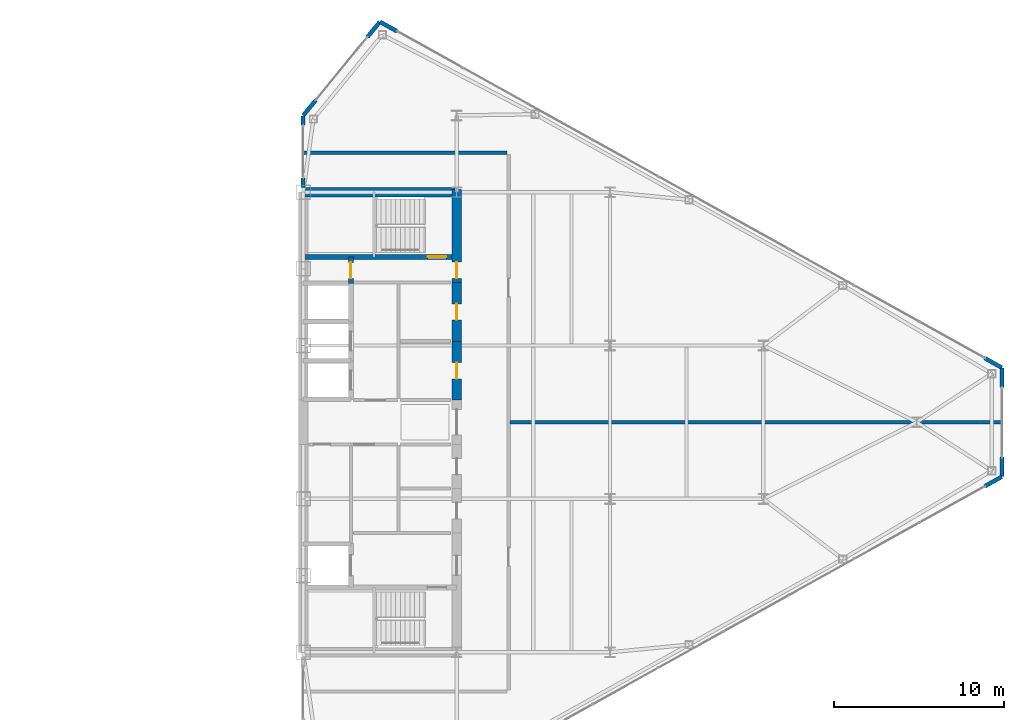
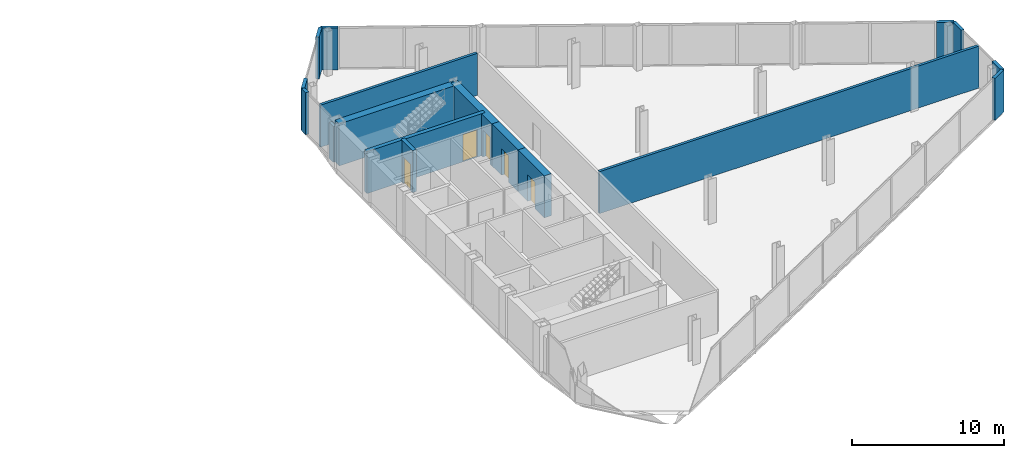
# One storey, part 23 of 26: 17 walls, 5 doors, 5 openings.
"""IFC4 building model written with IfcOpenShell, lengths in metres."""

from ifc_helpers import new_model, si_unit, direction, frame, frame_2d, origin, place, context, subcontext, project, spatial, rectangle, extrude, source, transform, mapped, material, layer, layer_set, type_object, type_shapes, element, fill, save


model = new_model("IFC4")

# Units and contexts
model_context = context("Model", 3, precision=1e-05, world=origin(), true_north=direction((0.0, 1.0)))
body_context = subcontext(model_context, "Body", "Model", "MODEL_VIEW")
ifc_project = project(units=[si_unit("LENGTHUNIT", "METRE"), si_unit("AREAUNIT", "SQUARE_METRE"), si_unit("VOLUMEUNIT", "CUBIC_METRE"), si_unit("PLANEANGLEUNIT", "RADIAN"), si_unit("MASSUNIT", "GRAM", prefix="KILO")], contexts=[model_context])

# Site, building, storey
site_placement = place(None, origin())
site = spatial("IfcSite", under=ifc_project, at=site_placement, CompositionType="ELEMENT")
building_placement = place(site_placement, origin())
building = spatial("IfcBuilding", under=site, at=building_placement, Name="Seokmaru Belvedere", CompositionType="ELEMENT")
storey_placement = place(building_placement, frame((0.0, 0.0, 177.89990234375)))
storey = spatial("IfcBuildingStorey", under=building, at=storey_placement, Name="L47", CompositionType="ELEMENT", Elevation=177.89990234375)

# Walls
ifc_material_1 = material(Name="Fire-Rated Gypsum Shaftwall")
ifc_layer_1 = layer(ifc_material_1, 0.199951171875)
ifc_layer_set_1 = layer_set([ifc_layer_1], Name="Fire-Rated Gypsum Shaftwall")
wall_type_1 = type_object("IfcWallType", Name="Inter-Tenancy Fire Compartment Partition 200", PredefinedType="PARTITIONING", material=ifc_layer_set_1)
wall_1_placement = place(storey_placement, frame((39.6298828125, 0.0, 0.0), z_axis=(0.0, 0.0, 1.0), x_axis=(1.0, 0.0, 0.0)))
element("IfcWall", 1, at=wall_1_placement, inside=storey, type_object=wall_type_1, Name="L47 Interior Partition 010", PredefinedType="PARTITIONING", context=body_context, shape_type="SweptSolid", body=[
    extrude(rectangle(XDim=28.875, YDim=0.199951171875, at=frame_2d((14.4375, 0.0))), origin(), (0.0, 0.0, 1.0), 3.380126953125),
])
wall_2_placement = place(storey_placement, frame((27.5, 15.800048828125, 0.0), z_axis=(0.0, 0.0, 1.0), x_axis=(1.0, 0.0, 0.0)))
element("IfcWall", 2, at=wall_2_placement, inside=storey, type_object=wall_type_1, Name="L47 Interior Partition 015", PredefinedType="PARTITIONING", context=body_context, shape_type="SweptSolid", body=[
    extrude(rectangle(XDim=11.965087890625, YDim=0.199951171875, at=frame_2d((5.982421875, 0.0))), origin(), (0.0, 0.0, 1.0), 3.380126953125),
])

# Wall, opening, door
ifc_material_2 = material(Name="Concrete C50 (50 MPa)", Category="concrete")
ifc_layer_2 = layer(ifc_material_2, 0.300048828125)
ifc_layer_set_2 = layer_set([ifc_layer_2], Name="Concrete C50 (50 MPa)")
wall_type_2 = type_object("IfcWallType", Name="Internal Core Stair and Hoistway Wall 300", PredefinedType="SHEAR", material=ifc_layer_set_2)
wall_3_placement = place(storey_placement, frame((27.5, 9.699951171875, 0.0), z_axis=(0.0, 0.0, 1.0), x_axis=(1.0, 0.0, 0.0)))
wall_3 = element("IfcWall", 3, at=wall_3_placement, inside=storey, type_object=wall_type_2, Name="L47 East Stair ST-2 Enclosure Wall", PredefinedType="SHEAR", context=body_context, shape_type="SweptSolid", body=[
    extrude(rectangle(XDim=9.0, YDim=0.300048828125, at=frame_2d((4.5, 0.0))), origin(), (0.0, 0.0, 1.0), 3.380126953125),
])
opening_1_placement = place(wall_3_placement, frame((7.300048828125, 0.0, 0.0)))
opening_1 = element("IfcOpeningElement", 4, at=opening_1_placement, cuts=wall_3, Name="Opening D01", PredefinedType="OPENING", context=body_context, shape_type="SweptSolid", body=[
    extrude(rectangle(XDim=1.10009765625, YDim=2.199951171875, at=frame_2d((0.550048828125, 1.10009765625))), frame((0.0, 0.16015625, 0.0), z_axis=(0.0, -1.0, 0.0), x_axis=(1.0, 0.0, 0.0)), (0.0, 0.0, 1.0), 0.320068359375),
])
ifc_material_3 = material(Name="Fire-Rated Steel Leaf", Category="steel")
door_type_1 = type_object("IfcDoorType", Name="Special Escape Stair Smokeproof Fire Door 1100x2200", OperationType="NOTDEFINED", PredefinedType="DOOR", material=ifc_material_3)
shared_shape_1 = source(origin(), body_context, "Body", "SweptSolid", [
    extrude(rectangle(XDim=1.10009765625, YDim=2.199951171875, at=frame_2d((0.550048828125, 1.10009765625))), frame((0.0, 0.02490234375, 0.0), z_axis=(0.0, -1.0, 0.0), x_axis=(1.0, 0.0, 0.0)), (0.0, 0.0, 1.0), 0.050048828125),
])
type_shapes(door_type_1, [shared_shape_1])
door_1_placement = place(opening_1_placement, origin())
door_1 = element("IfcDoor", 5, at=door_1_placement, inside=storey, type_object=door_type_1, Name="L47 East Special Escape Stair ST-2 Door", OperationType="SINGLE_SWING_LEFT", OverallHeight=2.199951171875, OverallWidth=1.10009765625, PredefinedType="DOOR", context=body_context, shape_type="MappedRepresentation", body=[
    mapped(shared_shape_1, transform((0.0, 0.0, 0.0), scale=1.0)),
])
fill(opening_1, door_1)

wall_4_placement = place(storey_placement, frame((30.300048828125, 8.14990234375, 0.0), z_axis=(0.0, 0.0, 1.0), x_axis=(0.0, 1.0, 0.0)))
wall_4 = element("IfcWall", 6, at=wall_4_placement, inside=storey, type_object=wall_type_2, Name="L47 East Electrical Riser Front Wall", PredefinedType="SHEAR", context=body_context, shape_type="SweptSolid", body=[
    extrude(rectangle(XDim=1.530029296875, YDim=0.300048828125, at=frame_2d((0.76513671875, 0.0))), origin(), (0.0, 0.0, 1.0), 3.380126953125),
])
opening_2_placement = place(wall_4_placement, frame((0.284912109375, 0.0, 0.0)))
opening_2 = element("IfcOpeningElement", 7, at=opening_2_placement, cuts=wall_4, Name="Opening D04", PredefinedType="OPENING", context=body_context, shape_type="SweptSolid", body=[
    extrude(rectangle(XDim=0.949951171875, YDim=2.14990234375, at=frame_2d((0.47509765625, 1.074951171875))), frame((0.0, 0.16015625, 0.0), z_axis=(0.0, -1.0, 0.0), x_axis=(1.0, 0.0, 0.0)), (0.0, 0.0, 1.0), 0.320068359375),
])
door_type_2 = type_object("IfcDoorType", Name="Core Service Room Fire Door 950x2150", OperationType="NOTDEFINED", PredefinedType="DOOR", material=ifc_material_3)
shared_shape_2 = source(origin(), body_context, "Body", "SweptSolid", [
    extrude(rectangle(XDim=0.949951171875, YDim=2.14990234375, at=frame_2d((0.47509765625, 1.074951171875))), frame((0.0, 0.02490234375, 0.0), z_axis=(0.0, -1.0, 0.0), x_axis=(1.0, 0.0, 0.0)), (0.0, 0.0, 1.0), 0.050048828125),
])
type_shapes(door_type_2, [shared_shape_2])
door_2_placement = place(opening_2_placement, origin())
door_2 = element("IfcDoor", 8, at=door_2_placement, inside=storey, type_object=door_type_2, Name="L47 East Electrical Riser Access Door", OperationType="SINGLE_SWING_RIGHT", OverallHeight=2.14990234375, OverallWidth=0.949951171875, PredefinedType="DOOR", context=body_context, shape_type="MappedRepresentation", body=[
    mapped(shared_shape_2, transform((0.0, 0.0, 0.0), scale=1.0)),
])
fill(opening_2, door_2)

# Wall
ifc_layer_3 = layer(ifc_material_2, 0.550048828125)
ifc_layer_set_3 = layer_set([ifc_layer_3], Name="Concrete C50 (50 MPa)")
wall_type_3 = type_object("IfcWallType", Name="Mid-High Reinforced Concrete Core Wall 550", PredefinedType="SHEAR", material=ifc_layer_set_3)
wall_5_placement = place(storey_placement, frame((27.5, 13.5, 0.0), z_axis=(0.0, 0.0, 1.0), x_axis=(1.0, 0.0, 0.0)))
element("IfcWall", 9, at=wall_5_placement, inside=storey, type_object=wall_type_3, Name="L47 East North Core Wall", PredefinedType="SHEAR", context=body_context, shape_type="SweptSolid", body=[
    extrude(rectangle(XDim=9.0, YDim=0.550048828125, at=frame_2d((4.5, 0.0))), origin(), (0.0, 0.0, 1.0), 3.380126953125),
])

# Wall, opening, door
wall_6_placement = place(storey_placement, frame((36.5, 8.199951171875, 0.0), z_axis=(0.0, 0.0, 1.0), x_axis=(0.0, 1.0, 0.0)))
wall_6 = element("IfcWall", 10, at=wall_6_placement, inside=storey, type_object=wall_type_3, Name="L47 East West Core Wall VST", PredefinedType="SHEAR", context=body_context, shape_type="SweptSolid", body=[
    extrude(rectangle(XDim=5.449951171875, YDim=0.550048828125, at=frame_2d((2.72509765625, 0.0))), origin(), (0.0, 0.0, 1.0), 3.380126953125),
])
opening_3_placement = place(wall_6_placement, frame((0.2451171875, 0.0, 0.0)))
opening_3 = element("IfcOpeningElement", 11, at=opening_3_placement, cuts=wall_6, Name="Opening D04", PredefinedType="OPENING", context=body_context, shape_type="SweptSolid", body=[
    extrude(rectangle(XDim=0.949951171875, YDim=2.14990234375, at=frame_2d((0.47509765625, 1.074951171875))), frame((0.0, 0.28515625, 0.0), z_axis=(0.0, -1.0, 0.0), x_axis=(1.0, 0.0, 0.0)), (0.0, 0.0, 1.0), 0.570068359375),
])
door_3_placement = place(opening_3_placement, origin())
door_3 = element("IfcDoor", 12, at=door_3_placement, inside=storey, type_object=door_type_2, Name="L47 East Smokeproof Vestibule Door", OperationType="SINGLE_SWING_LEFT", OverallHeight=2.14990234375, OverallWidth=0.949951171875, PredefinedType="DOOR", context=body_context, shape_type="MappedRepresentation", body=[
    mapped(shared_shape_2, transform((0.0, 0.0, 0.0), scale=1.0)),
])
fill(opening_3, door_3)

wall_7_placement = place(storey_placement, frame((36.5, 1.300048828125, 0.0), z_axis=(0.0, 0.0, 1.0), x_axis=(0.0, 1.0, 0.0)))
wall_7 = element("IfcWall", 13, at=wall_7_placement, inside=storey, type_object=wall_type_3, Name="L47 East West Core Wall CS3", PredefinedType="SHEAR", context=body_context, shape_type="SweptSolid", body=[
    extrude(rectangle(XDim=3.449951171875, YDim=0.550048828125, at=frame_2d((1.72509765625, 0.0))), origin(), (0.0, 0.0, 1.0), 3.380126953125),
])
opening_4_placement = place(wall_7_placement, frame((1.25, 0.0, 0.0)))
opening_4 = element("IfcOpeningElement", 14, at=opening_4_placement, cuts=wall_7, Name="Opening D04", PredefinedType="OPENING", context=body_context, shape_type="SweptSolid", body=[
    extrude(rectangle(XDim=0.949951171875, YDim=2.14990234375, at=frame_2d((0.47509765625, 1.074951171875))), frame((0.0, 0.28515625, 0.0), z_axis=(0.0, -1.0, 0.0), x_axis=(1.0, 0.0, 0.0)), (0.0, 0.0, 1.0), 0.570068359375),
])
door_4_placement = place(opening_4_placement, origin())
door_4 = element("IfcDoor", 15, at=door_4_placement, inside=storey, type_object=door_type_2, Name="L47 East Core Service Room Door 3", OperationType="SINGLE_SWING_RIGHT", OverallHeight=2.14990234375, OverallWidth=0.949951171875, PredefinedType="DOOR", context=body_context, shape_type="MappedRepresentation", body=[
    mapped(shared_shape_2, transform((0.0, 0.0, 0.0), scale=1.0)),
])
fill(opening_4, door_4)

wall_8_placement = place(storey_placement, frame((36.5, 4.75, 0.0), z_axis=(0.0, 0.0, 1.0), x_axis=(0.0, 1.0, 0.0)))
wall_8 = element("IfcWall", 16, at=wall_8_placement, inside=storey, type_object=wall_type_3, Name="L47 East West Core Wall CS4", PredefinedType="SHEAR", context=body_context, shape_type="SweptSolid", body=[
    extrude(rectangle(XDim=3.449951171875, YDim=0.550048828125, at=frame_2d((1.72509765625, 0.0))), origin(), (0.0, 0.0, 1.0), 3.380126953125),
])
opening_5_placement = place(wall_8_placement, frame((1.25, 0.0, 0.0)))
opening_5 = element("IfcOpeningElement", 17, at=opening_5_placement, cuts=wall_8, Name="Opening D04", PredefinedType="OPENING", context=body_context, shape_type="SweptSolid", body=[
    extrude(rectangle(XDim=0.949951171875, YDim=2.14990234375, at=frame_2d((0.47509765625, 1.074951171875))), frame((0.0, 0.28515625, 0.0), z_axis=(0.0, -1.0, 0.0), x_axis=(1.0, 0.0, 0.0)), (0.0, 0.0, 1.0), 0.570068359375),
])
door_5_placement = place(opening_5_placement, origin())
door_5 = element("IfcDoor", 18, at=door_5_placement, inside=storey, type_object=door_type_2, Name="L47 East Core Service Room Door 4", OperationType="SINGLE_SWING_LEFT", OverallHeight=2.14990234375, OverallWidth=0.949951171875, PredefinedType="DOOR", context=body_context, shape_type="MappedRepresentation", body=[
    mapped(shared_shape_2, transform((0.0, 0.0, 0.0), scale=1.0)),
])
fill(opening_5, door_5)

# Walls
ifc_material_4 = material(Name="Anodised Bronze Aluminium", Category="aluminium")
ifc_layer_4 = layer(ifc_material_4, 0.239990234375)
ifc_layer_set_4 = layer_set([ifc_layer_4], Name="Anodised Bronze Aluminium")
wall_type_4 = type_object("IfcWallType", Name="Tower Corner Spandrel Closure Wall 240", PredefinedType="SOLIDWALL", material=ifc_layer_set_4)
for number, where, z_axis, x_axis, name in (
    (19, (67.4951171875, -3.759033203125, 0.0), (0.0, 0.0, 1.0), (0.87385402111, 0.486188389196, 0.0), "L47 E Corner Closure Pier 1B"),
    (20, (68.5, -3.18994140625, 0.0), (0.0, 0.0, 1.0), (0.0, 1.0, 0.0), "L47 E Corner Closure Pier 2A"),
    (21, (68.5, 2.050048828125, 0.0), (0.0, 0.0, 1.0), (0.0, 1.0, 0.0), "L47 E Corner Closure Pier 2B"),
    (22, (68.4912109375, 3.204833984375, 0.0), (0.0, 0.0, 1.0), (-0.87385402111, 0.486188389196, 0.0), "L47 E Corner Closure Pier 3A"),
    (23, (33.0048828125, 22.94091796875, 0.0), (0.0, 0.0, 1.0), (-0.87385402111, 0.486188389196, 0.0), "L47 E Corner Closure Pier 3B"),
):
    element("IfcWall", number, at=place(storey_placement, frame(where, z_axis=z_axis, x_axis=x_axis)), inside=storey, type_object=wall_type_4, Name=name, PredefinedType="SOLIDWALL", context=body_context, shape_type="SweptSolid", body=[
        extrude(rectangle(XDim=1.139892578125, YDim=0.239990234375, at=frame_2d((0.56982421875, 0.0))), origin(), (0.0, 0.0, 1.0), 3.380126953125),
    ])
for number, where, z_axis, x_axis, name in (
    (24, (31.99365234375, 23.4921875, 0.0), (0.0, 0.0, 1.0), (-0.633249451965, -0.77394775766, 0.0), "L47 E Corner Closure Pier 4A"),
    (25, (28.228271484375, 18.89013671875, 0.0), (0.0, 0.0, 1.0), (-0.633249451965, -0.77394775766, 0.0), "L47 E Corner Closure Pier 4B"),
):
    element("IfcWall", number, at=place(storey_placement, frame(where, z_axis=z_axis, x_axis=x_axis)), inside=storey, type_object=wall_type_4, Name=name, PredefinedType="SOLIDWALL", context=body_context, shape_type="SweptSolid", body=[
        extrude(rectangle(XDim=1.14013671875, YDim=0.239990234375, at=frame_2d((0.570068359375, 0.0))), origin(), (0.0, 0.0, 1.0), 3.380126953125),
    ])
wall_9_placement = place(storey_placement, frame((27.5, 13.780029296875, 0.0), z_axis=(0.0, 0.0, 1.0), x_axis=(0.0, 1.0, 0.0)))
element("IfcWall", 26, at=wall_9_placement, inside=storey, type_object=wall_type_4, Name="L47 E Spine Closure Pier 2A", PredefinedType="SOLIDWALL", context=body_context, shape_type="SweptSolid", body=[
    extrude(rectangle(XDim=0.550048828125, YDim=0.239990234375, at=frame_2d((0.27490234375, 0.0))), origin(), (0.0, 0.0, 1.0), 2.880126953125),
])
wall_10_placement = place(storey_placement, frame((27.5, 17.429931640625, 0.0), z_axis=(0.0, 0.0, 1.0), x_axis=(0.0, 1.0, 0.0)))
element("IfcWall", 27, at=wall_10_placement, inside=storey, type_object=wall_type_4, Name="L47 E Spine Closure Pier 2B", PredefinedType="SOLIDWALL", context=body_context, shape_type="SweptSolid", body=[
    extrude(rectangle(XDim=0.550048828125, YDim=0.239990234375, at=frame_2d((0.27490234375, 0.0))), origin(), (0.0, 0.0, 1.0), 3.380126953125),
])

save(model, "model.ifc")
